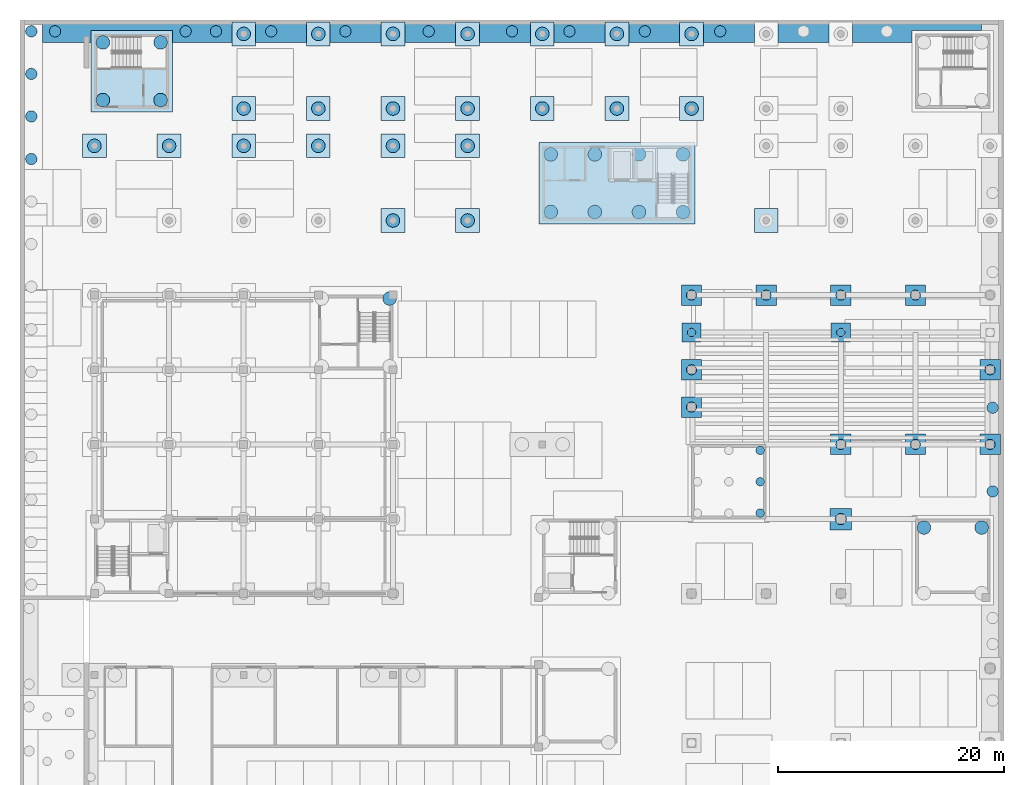
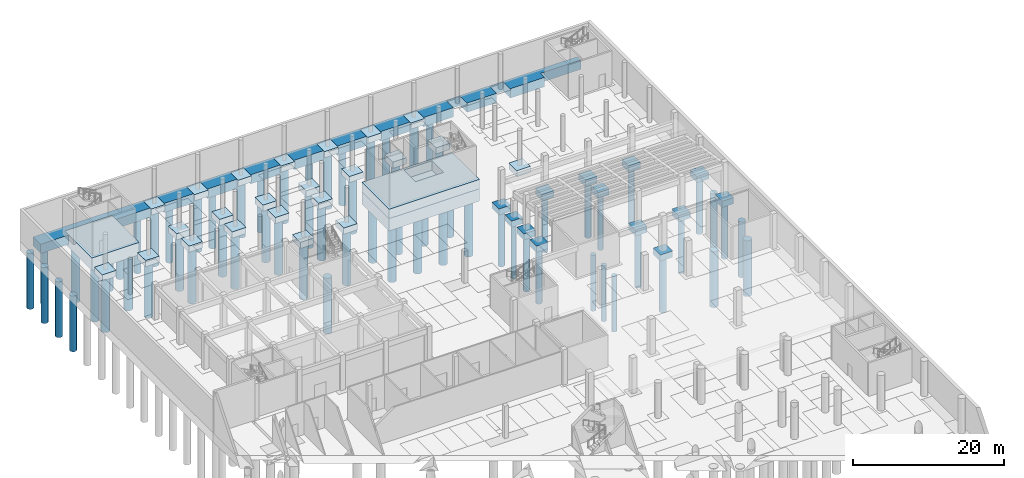
# One storey, part 4 of 38: 69 piles, 40 footings.
"""IFC4 building model written with IfcOpenShell, lengths in metres."""

from ifc_helpers import new_model, si_unit, direction, frame, origin, origin_2d, place, context, subcontext, project, spatial, polyline, circle, outline, extrude, material, material_profile, profile_set, type_object, element, save


model = new_model("IFC4")

# Units and contexts
model_context = context("Model", 3, precision=1e-05, world=origin(), true_north=direction((0.0, 1.0)))
body_context = subcontext(model_context, "Body", "Model", "MODEL_VIEW")
ifc_project = project(units=[si_unit("LENGTHUNIT", "METRE"), si_unit("AREAUNIT", "SQUARE_METRE"), si_unit("VOLUMEUNIT", "CUBIC_METRE"), si_unit("PLANEANGLEUNIT", "RADIAN"), si_unit("MASSUNIT", "GRAM", prefix="KILO")], contexts=[model_context])

# Site, building, storey
site_placement = place(None, origin())
site = spatial("IfcSite", under=ifc_project, at=site_placement, CompositionType="ELEMENT")
building_placement = place(site_placement, origin())
building = spatial("IfcBuilding", under=site, at=building_placement, Name="Lantern Court Research Institute", CompositionType="ELEMENT")
storey_placement = place(building_placement, frame((0.0, 0.0, -5.699951171875)))
storey = spatial("IfcBuildingStorey", under=building, at=storey_placement, Name="B1", CompositionType="ELEMENT", Elevation=-5.699951171875)

# Piles
ifc_material_1 = material(Name="Concrete C30/37", Category="concrete")
ifc_material_profile_1 = material_profile(ifc_material_1, circle(Radius=0.5, at=origin_2d()), Name="Bored pile D1000")
ifc_profile_set_1 = profile_set([ifc_material_profile_1], Name="Concrete C30/37")
pile_type_1 = type_object("IfcPileType", Name="Bored pile D1000", PredefinedType="BORED", material=ifc_profile_set_1)
for number, where, z_axis, x_axis, name in (
    (1, (66.0, 56.10009765625, -0.900146484375), (0.0, 0.0, -1.0), (1.0, 0.0, 0.0), "Bored pile P141"),
    (2, (-5.580078125, 87.93798828125, -1.400146484375), (0.0, 0.0, -1.0), (1.0, 0.0, 0.0), "Bored pile P254"),
    (3, (-5.580078125, 91.701904296875, -1.400146484375), (0.0, 0.0, -1.0), (1.0, 0.0, 0.0), "Bored pile P255"),
    (4, (-5.580078125, 95.466064453125, -1.400146484375), (0.0, 0.0, -1.0), (1.0, 0.0, 0.0), "Bored pile P256"),
    (5, (-5.580078125, 99.22998046875, -1.400146484375), (0.0, 0.0, -1.0), (1.0, 0.0, 0.0), "Bored pile P257"),
    (6, (79.429931640625, 58.544921875, -1.400146484375), (0.0, 0.0, -1.0), (1.0, 0.0, 0.0), "Bored pile P266"),
    (7, (79.429931640625, 65.94189453125, -1.400146484375), (0.0, 0.0, -1.0), (1.0, 0.0, 0.0), "Bored pile P267"),
    (8, (-3.47998046875, 99.22998046875, -1.400146484375), (0.0, 0.0, -1.0), (1.0, 0.0, 0.0), "Bored pile P286"),
    (9, (8.06689453125, 99.22998046875, -1.400146484375), (0.0, 0.0, -1.0), (1.0, 0.0, 0.0), "Bored pile P287"),
    (10, (10.7490234375, 99.22998046875, -1.400146484375), (0.0, 0.0, -1.0), (1.0, 0.0, 0.0), "Bored pile P288"),
    (11, (15.631103515625, 99.22998046875, -1.400146484375), (0.0, 0.0, -1.0), (1.0, 0.0, 0.0), "Bored pile P289"),
    (12, (22.196044921875, 99.22998046875, -1.400146484375), (0.0, 0.0, -1.0), (1.0, 0.0, 0.0), "Bored pile P290"),
    (13, (29.56005859375, 99.22998046875, -1.400146484375), (0.0, 0.0, -1.0), (1.0, 0.0, 0.0), "Bored pile P291"),
    (14, (36.925048828125, 99.22998046875, -1.400146484375), (0.0, 0.0, -1.0), (1.0, 0.0, 0.0), "Bored pile P292"),
    (15, (42.007080078125, 99.22998046875, -1.400146484375), (0.0, 0.0, -1.0), (1.0, 0.0, 0.0), "Bored pile P293"),
    (16, (48.672119140625, 99.22998046875, -1.400146484375), (0.0, 0.0, -1.0), (1.0, 0.0, 0.0), "Bored pile P294"),
    (17, (55.3359375, 99.22998046875, -1.400146484375), (0.0, 0.0, -1.0), (1.0, 0.0, 0.0), "Bored pile P295"),
):
    element("IfcPile", number, at=place(storey_placement, frame(where, z_axis=z_axis, x_axis=x_axis)), inside=storey, type_object=pile_type_1, Name=name, PredefinedType="BORED", context=body_context, shape_type="SweptSolid", body=[
        extrude(circle(Radius=0.5, at=origin_2d()), origin(), (0.0, 0.0, 1.0), 9.0),
    ])
ifc_material_2 = material(Name="Concrete C30/37", Category="concrete")
ifc_material_profile_2 = material_profile(ifc_material_2, circle(Radius=0.60009765625, at=origin_2d()), Name="Bored pile D1200")
ifc_profile_set_2 = profile_set([ifc_material_profile_2], Name="Concrete C30/37")
pile_type_2 = type_object("IfcPileType", Name="Bored pile D1200", PredefinedType="BORED", material=ifc_profile_set_2)
for number, where, z_axis, x_axis, name in (
    (18, (73.35009765625, 55.35009765625, -2.10009765625), (0.0, 0.0, -1.0), (1.0, 0.0, 0.0), "Bored pile P126"),
    (19, (78.449951171875, 55.35009765625, -2.10009765625), (0.0, 0.0, -1.0), (1.0, 0.0, 0.0), "Bored pile P127"),
    (20, (26.10009765625, 75.60009765625, -2.10009765625), (0.0, 0.0, -1.0), (1.0, 0.0, 0.0), "Bored pile P170"),
    (21, (26.39990234375, 82.5, -0.900146484375), (0.0, 0.0, -1.0), (1.0, 0.0, 0.0), "Bored pile P186"),
    (22, (33.0, 82.5, -0.900146484375), (0.0, 0.0, -1.0), (1.0, 0.0, 0.0), "Bored pile P187"),
    (23, (40.35009765625, 83.25, -3.400146484375), (0.0, 0.0, -1.0), (1.0, 0.0, 0.0), "Bored pile P192"),
    (24, (44.25, 83.25, -3.400146484375), (0.0, 0.0, -1.0), (1.0, 0.0, 0.0), "Bored pile P193"),
    (25, (48.14990234375, 83.25, -3.400146484375), (0.0, 0.0, -1.0), (1.0, 0.0, 0.0), "Bored pile P194"),
    (26, (52.050048828125, 83.25, -3.400146484375), (0.0, 0.0, -1.0), (1.0, 0.0, 0.0), "Bored pile P195"),
    (27, (40.35009765625, 88.35009765625, -3.400146484375), (0.0, 0.0, -1.0), (1.0, 0.0, 0.0), "Bored pile P196"),
    (28, (44.25, 88.35009765625, -3.400146484375), (0.0, 0.0, -1.0), (1.0, 0.0, 0.0), "Bored pile P197"),
    (29, (48.14990234375, 88.35009765625, -3.400146484375), (0.0, 0.0, -1.0), (1.0, 0.0, 0.0), "Bored pile P198"),
    (30, (52.050048828125, 88.35009765625, -3.400146484375), (0.0, 0.0, -1.0), (1.0, 0.0, 0.0), "Bored pile P199"),
    (31, (0.0, 89.10009765625, -0.900146484375), (0.0, 0.0, -1.0), (1.0, 0.0, 0.0), "Bored pile P200"),
    (32, (6.60009765625, 89.10009765625, -0.900146484375), (0.0, 0.0, -1.0), (1.0, 0.0, 0.0), "Bored pile P201"),
    (33, (13.199951171875, 89.10009765625, -0.900146484375), (0.0, 0.0, -1.0), (1.0, 0.0, 0.0), "Bored pile P202"),
    (34, (19.800048828125, 89.10009765625, -0.900146484375), (0.0, 0.0, -1.0), (1.0, 0.0, 0.0), "Bored pile P203"),
    (35, (26.39990234375, 89.10009765625, -0.900146484375), (0.0, 0.0, -1.0), (1.0, 0.0, 0.0), "Bored pile P204"),
    (36, (33.0, 89.10009765625, -0.900146484375), (0.0, 0.0, -1.0), (1.0, 0.0, 0.0), "Bored pile P205"),
    (37, (13.199951171875, 92.39990234375, -0.900146484375), (0.0, 0.0, -1.0), (1.0, 0.0, 0.0), "Bored pile P210"),
    (38, (19.800048828125, 92.39990234375, -0.900146484375), (0.0, 0.0, -1.0), (1.0, 0.0, 0.0), "Bored pile P211"),
    (39, (26.39990234375, 92.39990234375, -0.900146484375), (0.0, 0.0, -1.0), (1.0, 0.0, 0.0), "Bored pile P212"),
    (40, (33.0, 92.39990234375, -0.900146484375), (0.0, 0.0, -1.0), (1.0, 0.0, 0.0), "Bored pile P213"),
    (41, (39.60009765625, 92.39990234375, -0.900146484375), (0.0, 0.0, -1.0), (1.0, 0.0, 0.0), "Bored pile P214"),
    (42, (46.199951171875, 92.39990234375, -0.900146484375), (0.0, 0.0, -1.0), (1.0, 0.0, 0.0), "Bored pile P215"),
    (43, (52.800048828125, 92.39990234375, -0.900146484375), (0.0, 0.0, -1.0), (1.0, 0.0, 0.0), "Bored pile P216"),
    (44, (0.75, 93.14990234375, -1.900146484375), (0.0, 0.0, -1.0), (1.0, 0.0, 0.0), "Bored pile P219"),
    (45, (5.85009765625, 93.14990234375, -1.900146484375), (0.0, 0.0, -1.0), (1.0, 0.0, 0.0), "Bored pile P220"),
    (46, (0.75, 98.25, -1.900146484375), (0.0, 0.0, -1.0), (1.0, 0.0, 0.0), "Bored pile P221"),
    (47, (5.85009765625, 98.25, -1.900146484375), (0.0, 0.0, -1.0), (1.0, 0.0, 0.0), "Bored pile P222"),
    (48, (13.199951171875, 99.0, -0.900146484375), (0.0, 0.0, -1.0), (1.0, 0.0, 0.0), "Bored pile P227"),
    (49, (19.800048828125, 99.0, -0.900146484375), (0.0, 0.0, -1.0), (1.0, 0.0, 0.0), "Bored pile P228"),
    (50, (26.39990234375, 99.0, -0.900146484375), (0.0, 0.0, -1.0), (1.0, 0.0, 0.0), "Bored pile P229"),
    (51, (33.0, 99.0, -0.900146484375), (0.0, 0.0, -1.0), (1.0, 0.0, 0.0), "Bored pile P230"),
    (52, (39.60009765625, 99.0, -0.900146484375), (0.0, 0.0, -1.0), (1.0, 0.0, 0.0), "Bored pile P231"),
    (53, (46.199951171875, 99.0, -0.900146484375), (0.0, 0.0, -1.0), (1.0, 0.0, 0.0), "Bored pile P232"),
    (54, (52.800048828125, 99.0, -0.900146484375), (0.0, 0.0, -1.0), (1.0, 0.0, 0.0), "Bored pile P233"),
):
    element("IfcPile", number, at=place(storey_placement, frame(where, z_axis=z_axis, x_axis=x_axis)), inside=storey, type_object=pile_type_2, Name=name, PredefinedType="BORED", context=body_context, shape_type="SweptSolid", body=[
        extrude(circle(Radius=0.60009765625, at=origin_2d()), origin(), (0.0, 0.0, 1.0), 9.0),
    ])
ifc_material_3 = material(Name="Concrete C30/37", Category="concrete")
ifc_material_profile_3 = material_profile(ifc_material_3, circle(Radius=0.375, at=origin_2d()), Name="Bored pile D750")
ifc_profile_set_3 = profile_set([ifc_material_profile_3], Name="Concrete C30/37")
pile_type_3 = type_object("IfcPileType", Name="Bored pile D750", PredefinedType="BORED", material=ifc_profile_set_3)
for number, where, z_axis, x_axis, name in (
    (55, (58.875, 56.625, -1.900146484375), (0.0, 0.0, -1.0), (1.0, 0.0, 0.0), "Bored pile P144"),
    (56, (58.875, 59.39990234375, -1.900146484375), (0.0, 0.0, -1.0), (1.0, 0.0, 0.0), "Bored pile P147"),
    (57, (58.875, 62.175048828125, -1.900146484375), (0.0, 0.0, -1.0), (1.0, 0.0, 0.0), "Bored pile P150"),
    (58, (52.800048828125, 72.60009765625, -0.900146484375), (0.0, 0.0, -1.0), (1.0, 0.0, 0.0), "Bored pile P171"),
    (59, (66.0, 72.60009765625, -0.900146484375), (0.0, 0.0, -1.0), (1.0, 0.0, 0.0), "Bored pile P172"),
):
    element("IfcPile", number, at=place(storey_placement, frame(where, z_axis=z_axis, x_axis=x_axis)), inside=storey, type_object=pile_type_3, Name=name, PredefinedType="BORED", context=body_context, shape_type="SweptSolid", body=[
        extrude(circle(Radius=0.375, at=origin_2d()), origin(), (0.0, 0.0, 1.0), 9.0),
    ])
ifc_material_4 = material(Name="Concrete C30/37", Category="concrete")
ifc_material_profile_4 = material_profile(ifc_material_4, circle(Radius=0.449951171875, at=origin_2d()), Name="Bored pile D900")
ifc_profile_set_4 = profile_set([ifc_material_profile_4], Name="Concrete C30/37")
pile_type_4 = type_object("IfcPileType", Name="Bored pile D900", PredefinedType="BORED", material=ifc_profile_set_4)
for number, where, z_axis, x_axis, name in (
    (60, (66.0, 62.699951171875, -0.900146484375), (0.0, 0.0, -1.0), (1.0, 0.0, 0.0), "Bored pile P158"),
    (61, (72.60009765625, 62.699951171875, -0.900146484375), (0.0, 0.0, -1.0), (1.0, 0.0, 0.0), "Bored pile P159"),
    (62, (79.199951171875, 62.699951171875, -0.900146484375), (0.0, 0.0, -1.0), (1.0, 0.0, 0.0), "Bored pile P160"),
    (63, (52.800048828125, 66.0, -0.900146484375), (0.0, 0.0, -1.0), (1.0, 0.0, 0.0), "Bored pile P161"),
    (64, (52.800048828125, 69.300048828125, -0.900146484375), (0.0, 0.0, -1.0), (1.0, 0.0, 0.0), "Bored pile P165"),
    (65, (79.199951171875, 69.300048828125, -0.900146484375), (0.0, 0.0, -1.0), (1.0, 0.0, 0.0), "Bored pile P166"),
    (66, (52.800048828125, 75.89990234375, -0.900146484375), (0.0, 0.0, -1.0), (1.0, 0.0, 0.0), "Bored pile P177"),
    (67, (59.39990234375, 75.89990234375, -0.900146484375), (0.0, 0.0, -1.0), (1.0, 0.0, 0.0), "Bored pile P178"),
    (68, (66.0, 75.89990234375, -0.900146484375), (0.0, 0.0, -1.0), (1.0, 0.0, 0.0), "Bored pile P179"),
    (69, (72.60009765625, 75.89990234375, -0.900146484375), (0.0, 0.0, -1.0), (1.0, 0.0, 0.0), "Bored pile P180"),
):
    element("IfcPile", number, at=place(storey_placement, frame(where, z_axis=z_axis, x_axis=x_axis)), inside=storey, type_object=pile_type_4, Name=name, PredefinedType="BORED", context=body_context, shape_type="SweptSolid", body=[
        extrude(circle(Radius=0.449951171875, at=origin_2d()), origin(), (0.0, 0.0, 1.0), 9.0),
    ])

# Footings
ifc_material_5 = material(Name="Concrete C30/37", Category="concrete")
footing_type_1 = type_object("IfcFootingType", Name="Pile cap 1700 x 1700 x 1000", PredefinedType="PILE_CAP", material=ifc_material_5)
footing_1_placement = place(storey_placement, frame((0.0, 0.0, -1.0)))
element("IfcFooting", 70, at=footing_1_placement, inside=storey, type_object=footing_type_1, Name="Pile cap PC88", PredefinedType="PILE_CAP", context=body_context, shape_type="SweptSolid", body=[
    extrude(outline(polyline([(51.949951171875, 71.75), (53.64990234375, 71.75), (53.64990234375, 73.449951171875), (51.949951171875, 73.449951171875), (51.949951171875, 71.75)])), origin(), (0.0, 0.0, 1.0), 1.0),
])
footing_2_placement = place(storey_placement, frame((0.0, 0.0, -1.0)))
element("IfcFooting", 71, at=footing_2_placement, inside=storey, type_object=footing_type_1, Name="Pile cap PC89", PredefinedType="PILE_CAP", context=body_context, shape_type="SweptSolid", body=[
    extrude(outline(polyline([(65.14990234375, 71.75), (66.85009765625, 71.75), (66.85009765625, 73.449951171875), (65.14990234375, 73.449951171875), (65.14990234375, 71.75)])), origin(), (0.0, 0.0, 1.0), 1.0),
])
ifc_material_6 = material(Name="Concrete C30/37", Category="concrete")
footing_type_2 = type_object("IfcFootingType", Name="Pile cap 1800 x 1800 x 1000", PredefinedType="PILE_CAP", material=ifc_material_6)
footing_3_placement = place(storey_placement, frame((0.0, 0.0, -1.0)))
element("IfcFooting", 72, at=footing_3_placement, inside=storey, type_object=footing_type_2, Name="Pile cap PC78", PredefinedType="PILE_CAP", context=body_context, shape_type="SweptSolid", body=[
    extrude(outline(polyline([(65.10009765625, 61.800048828125), (66.89990234375, 61.800048828125), (66.89990234375, 63.60009765625), (65.10009765625, 63.60009765625), (65.10009765625, 61.800048828125)])), origin(), (0.0, 0.0, 1.0), 1.0),
])
footing_4_placement = place(storey_placement, frame((0.0, 0.0, -1.0)))
element("IfcFooting", 73, at=footing_4_placement, inside=storey, type_object=footing_type_2, Name="Pile cap PC79", PredefinedType="PILE_CAP", context=body_context, shape_type="SweptSolid", body=[
    extrude(outline(polyline([(71.699951171875, 61.800048828125), (73.5, 61.800048828125), (73.5, 63.60009765625), (71.699951171875, 63.60009765625), (71.699951171875, 61.800048828125)])), origin(), (0.0, 0.0, 1.0), 1.0),
])
footing_5_placement = place(storey_placement, frame((0.0, 0.0, -1.0)))
element("IfcFooting", 74, at=footing_5_placement, inside=storey, type_object=footing_type_2, Name="Pile cap PC80", PredefinedType="PILE_CAP", context=body_context, shape_type="SweptSolid", body=[
    extrude(outline(polyline([(78.300048828125, 61.800048828125), (80.10009765625, 61.800048828125), (80.10009765625, 63.60009765625), (78.300048828125, 63.60009765625), (78.300048828125, 61.800048828125)])), origin(), (0.0, 0.0, 1.0), 1.0),
])
footing_6_placement = place(storey_placement, frame((0.0, 0.0, -1.0)))
element("IfcFooting", 75, at=footing_6_placement, inside=storey, type_object=footing_type_2, Name="Pile cap PC81", PredefinedType="PILE_CAP", context=body_context, shape_type="SweptSolid", body=[
    extrude(outline(polyline([(51.89990234375, 65.10009765625), (53.699951171875, 65.10009765625), (53.699951171875, 66.89990234375), (51.89990234375, 66.89990234375), (51.89990234375, 65.10009765625)])), origin(), (0.0, 0.0, 1.0), 1.0),
])
footing_7_placement = place(storey_placement, frame((0.0, 0.0, -1.0)))
element("IfcFooting", 76, at=footing_7_placement, inside=storey, type_object=footing_type_2, Name="Pile cap PC85", PredefinedType="PILE_CAP", context=body_context, shape_type="SweptSolid", body=[
    extrude(outline(polyline([(51.89990234375, 68.39990234375), (53.699951171875, 68.39990234375), (53.699951171875, 70.199951171875), (51.89990234375, 70.199951171875), (51.89990234375, 68.39990234375)])), origin(), (0.0, 0.0, 1.0), 1.0),
])
footing_8_placement = place(storey_placement, frame((0.0, 0.0, -1.0)))
element("IfcFooting", 77, at=footing_8_placement, inside=storey, type_object=footing_type_2, Name="Pile cap PC86", PredefinedType="PILE_CAP", context=body_context, shape_type="SweptSolid", body=[
    extrude(outline(polyline([(78.300048828125, 68.39990234375), (80.10009765625, 68.39990234375), (80.10009765625, 70.199951171875), (78.300048828125, 70.199951171875), (78.300048828125, 68.39990234375)])), origin(), (0.0, 0.0, 1.0), 1.0),
])
footing_9_placement = place(storey_placement, frame((0.0, 0.0, -1.0)))
element("IfcFooting", 78, at=footing_9_placement, inside=storey, type_object=footing_type_2, Name="Pile cap PC94", PredefinedType="PILE_CAP", context=body_context, shape_type="SweptSolid", body=[
    extrude(outline(polyline([(51.89990234375, 75.0), (53.699951171875, 75.0), (53.699951171875, 76.800048828125), (51.89990234375, 76.800048828125), (51.89990234375, 75.0)])), origin(), (0.0, 0.0, 1.0), 1.0),
])
footing_10_placement = place(storey_placement, frame((0.0, 0.0, -1.0)))
element("IfcFooting", 79, at=footing_10_placement, inside=storey, type_object=footing_type_2, Name="Pile cap PC95", PredefinedType="PILE_CAP", context=body_context, shape_type="SweptSolid", body=[
    extrude(outline(polyline([(58.5, 75.0), (60.300048828125, 75.0), (60.300048828125, 76.800048828125), (58.5, 76.800048828125), (58.5, 75.0)])), origin(), (0.0, 0.0, 1.0), 1.0),
])
footing_11_placement = place(storey_placement, frame((0.0, 0.0, -1.0)))
element("IfcFooting", 80, at=footing_11_placement, inside=storey, type_object=footing_type_2, Name="Pile cap PC96", PredefinedType="PILE_CAP", context=body_context, shape_type="SweptSolid", body=[
    extrude(outline(polyline([(65.10009765625, 75.0), (66.89990234375, 75.0), (66.89990234375, 76.800048828125), (65.10009765625, 76.800048828125), (65.10009765625, 75.0)])), origin(), (0.0, 0.0, 1.0), 1.0),
])
footing_12_placement = place(storey_placement, frame((0.0, 0.0, -1.0)))
element("IfcFooting", 81, at=footing_12_placement, inside=storey, type_object=footing_type_2, Name="Pile cap PC97", PredefinedType="PILE_CAP", context=body_context, shape_type="SweptSolid", body=[
    extrude(outline(polyline([(71.699951171875, 75.0), (73.5, 75.0), (73.5, 76.800048828125), (71.699951171875, 76.800048828125), (71.699951171875, 75.0)])), origin(), (0.0, 0.0, 1.0), 1.0),
])
ifc_material_7 = material(Name="Concrete C30/37", Category="concrete")
footing_type_3 = type_object("IfcFootingType", Name="Pile cap 1900 x 1900 x 1000", PredefinedType="PILE_CAP", material=ifc_material_7)
footing_13_placement = place(storey_placement, frame((0.0, 0.0, -1.0)))
element("IfcFooting", 82, at=footing_13_placement, inside=storey, type_object=footing_type_3, Name="Pile cap PC70", PredefinedType="PILE_CAP", context=body_context, shape_type="SweptSolid", body=[
    extrude(outline(polyline([(65.050048828125, 55.14990234375), (66.949951171875, 55.14990234375), (66.949951171875, 57.050048828125), (65.050048828125, 57.050048828125), (65.050048828125, 55.14990234375)])), origin(), (0.0, 0.0, 1.0), 1.0),
])
ifc_material_8 = material(Name="Concrete C30/37", Category="concrete")
footing_type_4 = type_object("IfcFootingType", Name="Pile cap 2100 x 2100 x 1000", PredefinedType="PILE_CAP", material=ifc_material_8)
footing_14_placement = place(storey_placement, frame((0.0, 0.0, -1.0)))
element("IfcFooting", 83, at=footing_14_placement, inside=storey, type_object=footing_type_4, Name="Pile cap PC103", PredefinedType="PILE_CAP", context=body_context, shape_type="SweptSolid", body=[
    extrude(outline(polyline([(25.35009765625, 81.449951171875), (27.449951171875, 81.449951171875), (27.449951171875, 83.550048828125), (25.35009765625, 83.550048828125), (25.35009765625, 81.449951171875)])), origin(), (0.0, 0.0, 1.0), 1.0),
])
footing_15_placement = place(storey_placement, frame((0.0, 0.0, -1.0)))
element("IfcFooting", 84, at=footing_15_placement, inside=storey, type_object=footing_type_4, Name="Pile cap PC104", PredefinedType="PILE_CAP", context=body_context, shape_type="SweptSolid", body=[
    extrude(outline(polyline([(31.949951171875, 81.449951171875), (34.050048828125, 81.449951171875), (34.050048828125, 83.550048828125), (31.949951171875, 83.550048828125), (31.949951171875, 81.449951171875)])), origin(), (0.0, 0.0, 1.0), 1.0),
])
footing_16_placement = place(storey_placement, frame((0.0, 0.0, -1.0)))
element("IfcFooting", 85, at=footing_16_placement, inside=storey, type_object=footing_type_4, Name="Pile cap PC105", PredefinedType="PILE_CAP", context=body_context, shape_type="SweptSolid", body=[
    extrude(outline(polyline([(58.35009765625, 81.449951171875), (60.449951171875, 81.449951171875), (60.449951171875, 83.550048828125), (58.35009765625, 83.550048828125), (58.35009765625, 81.449951171875)])), origin(), (0.0, 0.0, 1.0), 1.0),
])
footing_17_placement = place(storey_placement, frame((0.0, 0.0, -1.0)))
element("IfcFooting", 86, at=footing_17_placement, inside=storey, type_object=footing_type_4, Name="Pile cap PC110", PredefinedType="PILE_CAP", context=body_context, shape_type="SweptSolid", body=[
    extrude(outline(polyline([(-1.050048828125, 88.050048828125), (1.050048828125, 88.050048828125), (1.050048828125, 90.14990234375), (-1.050048828125, 90.14990234375), (-1.050048828125, 88.050048828125)])), origin(), (0.0, 0.0, 1.0), 1.0),
])
footing_18_placement = place(storey_placement, frame((0.0, 0.0, -1.0)))
element("IfcFooting", 87, at=footing_18_placement, inside=storey, type_object=footing_type_4, Name="Pile cap PC111", PredefinedType="PILE_CAP", context=body_context, shape_type="SweptSolid", body=[
    extrude(outline(polyline([(5.550048828125, 88.050048828125), (7.64990234375, 88.050048828125), (7.64990234375, 90.14990234375), (5.550048828125, 90.14990234375), (5.550048828125, 88.050048828125)])), origin(), (0.0, 0.0, 1.0), 1.0),
])
footing_19_placement = place(storey_placement, frame((0.0, 0.0, -1.0)))
element("IfcFooting", 88, at=footing_19_placement, inside=storey, type_object=footing_type_4, Name="Pile cap PC112", PredefinedType="PILE_CAP", context=body_context, shape_type="SweptSolid", body=[
    extrude(outline(polyline([(12.14990234375, 88.050048828125), (14.25, 88.050048828125), (14.25, 90.14990234375), (12.14990234375, 90.14990234375), (12.14990234375, 88.050048828125)])), origin(), (0.0, 0.0, 1.0), 1.0),
])
footing_20_placement = place(storey_placement, frame((0.0, 0.0, -1.0)))
element("IfcFooting", 89, at=footing_20_placement, inside=storey, type_object=footing_type_4, Name="Pile cap PC113", PredefinedType="PILE_CAP", context=body_context, shape_type="SweptSolid", body=[
    extrude(outline(polyline([(18.75, 88.050048828125), (20.85009765625, 88.050048828125), (20.85009765625, 90.14990234375), (18.75, 90.14990234375), (18.75, 88.050048828125)])), origin(), (0.0, 0.0, 1.0), 1.0),
])
footing_21_placement = place(storey_placement, frame((0.0, 0.0, -1.0)))
element("IfcFooting", 90, at=footing_21_placement, inside=storey, type_object=footing_type_4, Name="Pile cap PC114", PredefinedType="PILE_CAP", context=body_context, shape_type="SweptSolid", body=[
    extrude(outline(polyline([(25.35009765625, 88.050048828125), (27.449951171875, 88.050048828125), (27.449951171875, 90.14990234375), (25.35009765625, 90.14990234375), (25.35009765625, 88.050048828125)])), origin(), (0.0, 0.0, 1.0), 1.0),
])
footing_22_placement = place(storey_placement, frame((0.0, 0.0, -1.0)))
element("IfcFooting", 91, at=footing_22_placement, inside=storey, type_object=footing_type_4, Name="Pile cap PC115", PredefinedType="PILE_CAP", context=body_context, shape_type="SweptSolid", body=[
    extrude(outline(polyline([(31.949951171875, 88.050048828125), (34.050048828125, 88.050048828125), (34.050048828125, 90.14990234375), (31.949951171875, 90.14990234375), (31.949951171875, 88.050048828125)])), origin(), (0.0, 0.0, 1.0), 1.0),
])
footing_23_placement = place(storey_placement, frame((0.0, 0.0, -1.0)))
element("IfcFooting", 92, at=footing_23_placement, inside=storey, type_object=footing_type_4, Name="Pile cap PC120", PredefinedType="PILE_CAP", context=body_context, shape_type="SweptSolid", body=[
    extrude(outline(polyline([(12.14990234375, 91.35009765625), (14.25, 91.35009765625), (14.25, 93.449951171875), (12.14990234375, 93.449951171875), (12.14990234375, 91.35009765625)])), origin(), (0.0, 0.0, 1.0), 1.0),
])
footing_24_placement = place(storey_placement, frame((0.0, 0.0, -1.0)))
element("IfcFooting", 93, at=footing_24_placement, inside=storey, type_object=footing_type_4, Name="Pile cap PC121", PredefinedType="PILE_CAP", context=body_context, shape_type="SweptSolid", body=[
    extrude(outline(polyline([(18.75, 91.35009765625), (20.85009765625, 91.35009765625), (20.85009765625, 93.449951171875), (18.75, 93.449951171875), (18.75, 91.35009765625)])), origin(), (0.0, 0.0, 1.0), 1.0),
])
footing_25_placement = place(storey_placement, frame((0.0, 0.0, -1.0)))
element("IfcFooting", 94, at=footing_25_placement, inside=storey, type_object=footing_type_4, Name="Pile cap PC122", PredefinedType="PILE_CAP", context=body_context, shape_type="SweptSolid", body=[
    extrude(outline(polyline([(25.35009765625, 91.35009765625), (27.449951171875, 91.35009765625), (27.449951171875, 93.449951171875), (25.35009765625, 93.449951171875), (25.35009765625, 91.35009765625)])), origin(), (0.0, 0.0, 1.0), 1.0),
])
footing_26_placement = place(storey_placement, frame((0.0, 0.0, -1.0)))
element("IfcFooting", 95, at=footing_26_placement, inside=storey, type_object=footing_type_4, Name="Pile cap PC123", PredefinedType="PILE_CAP", context=body_context, shape_type="SweptSolid", body=[
    extrude(outline(polyline([(31.949951171875, 91.35009765625), (34.050048828125, 91.35009765625), (34.050048828125, 93.449951171875), (31.949951171875, 93.449951171875), (31.949951171875, 91.35009765625)])), origin(), (0.0, 0.0, 1.0), 1.0),
])
footing_27_placement = place(storey_placement, frame((0.0, 0.0, -1.0)))
element("IfcFooting", 96, at=footing_27_placement, inside=storey, type_object=footing_type_4, Name="Pile cap PC124", PredefinedType="PILE_CAP", context=body_context, shape_type="SweptSolid", body=[
    extrude(outline(polyline([(38.550048828125, 91.35009765625), (40.64990234375, 91.35009765625), (40.64990234375, 93.449951171875), (38.550048828125, 93.449951171875), (38.550048828125, 91.35009765625)])), origin(), (0.0, 0.0, 1.0), 1.0),
])
footing_28_placement = place(storey_placement, frame((0.0, 0.0, -1.0)))
element("IfcFooting", 97, at=footing_28_placement, inside=storey, type_object=footing_type_4, Name="Pile cap PC125", PredefinedType="PILE_CAP", context=body_context, shape_type="SweptSolid", body=[
    extrude(outline(polyline([(45.14990234375, 91.35009765625), (47.25, 91.35009765625), (47.25, 93.449951171875), (45.14990234375, 93.449951171875), (45.14990234375, 91.35009765625)])), origin(), (0.0, 0.0, 1.0), 1.0),
])
footing_29_placement = place(storey_placement, frame((0.0, 0.0, -1.0)))
element("IfcFooting", 98, at=footing_29_placement, inside=storey, type_object=footing_type_4, Name="Pile cap PC126", PredefinedType="PILE_CAP", context=body_context, shape_type="SweptSolid", body=[
    extrude(outline(polyline([(51.75, 91.35009765625), (53.85009765625, 91.35009765625), (53.85009765625, 93.449951171875), (51.75, 93.449951171875), (51.75, 91.35009765625)])), origin(), (0.0, 0.0, 1.0), 1.0),
])
footing_30_placement = place(storey_placement, frame((0.0, 0.0, -1.0)))
element("IfcFooting", 99, at=footing_30_placement, inside=storey, type_object=footing_type_4, Name="Pile cap PC131", PredefinedType="PILE_CAP", context=body_context, shape_type="SweptSolid", body=[
    extrude(outline(polyline([(12.14990234375, 97.949951171875), (14.25, 97.949951171875), (14.25, 100.050048828125), (12.14990234375, 100.050048828125), (12.14990234375, 97.949951171875)])), origin(), (0.0, 0.0, 1.0), 1.0),
])
footing_31_placement = place(storey_placement, frame((0.0, 0.0, -1.0)))
element("IfcFooting", 100, at=footing_31_placement, inside=storey, type_object=footing_type_4, Name="Pile cap PC132", PredefinedType="PILE_CAP", context=body_context, shape_type="SweptSolid", body=[
    extrude(outline(polyline([(18.75, 97.949951171875), (20.85009765625, 97.949951171875), (20.85009765625, 100.050048828125), (18.75, 100.050048828125), (18.75, 97.949951171875)])), origin(), (0.0, 0.0, 1.0), 1.0),
])
footing_32_placement = place(storey_placement, frame((0.0, 0.0, -1.0)))
element("IfcFooting", 101, at=footing_32_placement, inside=storey, type_object=footing_type_4, Name="Pile cap PC133", PredefinedType="PILE_CAP", context=body_context, shape_type="SweptSolid", body=[
    extrude(outline(polyline([(25.35009765625, 97.949951171875), (27.449951171875, 97.949951171875), (27.449951171875, 100.050048828125), (25.35009765625, 100.050048828125), (25.35009765625, 97.949951171875)])), origin(), (0.0, 0.0, 1.0), 1.0),
])
footing_33_placement = place(storey_placement, frame((0.0, 0.0, -1.0)))
element("IfcFooting", 102, at=footing_33_placement, inside=storey, type_object=footing_type_4, Name="Pile cap PC134", PredefinedType="PILE_CAP", context=body_context, shape_type="SweptSolid", body=[
    extrude(outline(polyline([(31.949951171875, 97.949951171875), (34.050048828125, 97.949951171875), (34.050048828125, 100.050048828125), (31.949951171875, 100.050048828125), (31.949951171875, 97.949951171875)])), origin(), (0.0, 0.0, 1.0), 1.0),
])
footing_34_placement = place(storey_placement, frame((0.0, 0.0, -1.0)))
element("IfcFooting", 103, at=footing_34_placement, inside=storey, type_object=footing_type_4, Name="Pile cap PC135", PredefinedType="PILE_CAP", context=body_context, shape_type="SweptSolid", body=[
    extrude(outline(polyline([(38.550048828125, 97.949951171875), (40.64990234375, 97.949951171875), (40.64990234375, 100.050048828125), (38.550048828125, 100.050048828125), (38.550048828125, 97.949951171875)])), origin(), (0.0, 0.0, 1.0), 1.0),
])
footing_35_placement = place(storey_placement, frame((0.0, 0.0, -1.0)))
element("IfcFooting", 104, at=footing_35_placement, inside=storey, type_object=footing_type_4, Name="Pile cap PC136", PredefinedType="PILE_CAP", context=body_context, shape_type="SweptSolid", body=[
    extrude(outline(polyline([(45.14990234375, 97.949951171875), (47.25, 97.949951171875), (47.25, 100.050048828125), (45.14990234375, 100.050048828125), (45.14990234375, 97.949951171875)])), origin(), (0.0, 0.0, 1.0), 1.0),
])
footing_36_placement = place(storey_placement, frame((0.0, 0.0, -1.0)))
element("IfcFooting", 105, at=footing_36_placement, inside=storey, type_object=footing_type_4, Name="Pile cap PC137", PredefinedType="PILE_CAP", context=body_context, shape_type="SweptSolid", body=[
    extrude(outline(polyline([(51.75, 97.949951171875), (53.85009765625, 97.949951171875), (53.85009765625, 100.050048828125), (51.75, 100.050048828125), (51.75, 97.949951171875)])), origin(), (0.0, 0.0, 1.0), 1.0),
])
ifc_material_9 = material(Name="Concrete C30/37", Category="concrete")
footing_type_5 = type_object("IfcFootingType", Name="Pile cap 7200 x 7200 x 2000", PredefinedType="PILE_CAP", material=ifc_material_9)
footing_37_placement = place(storey_placement, frame((0.0, 0.0, -2.0)))
element("IfcFooting", 106, at=footing_37_placement, inside=storey, type_object=footing_type_5, Name="Pile cap PC129", PredefinedType="PILE_CAP", context=body_context, shape_type="SweptSolid", body=[
    extrude(outline(polyline([(-0.300048828125, 92.10009765625), (6.89990234375, 92.10009765625), (6.89990234375, 99.300048828125), (-0.300048828125, 99.300048828125), (-0.300048828125, 92.10009765625)])), origin(), (0.0, 0.0, 1.0), 2.0),
])
ifc_material_10 = material(Name="Concrete C30/37", Category="concrete")
footing_type_6 = type_object("IfcFootingType", Name="Pile cap lower plate 13800 x 7200 x 2000", PredefinedType="PILE_CAP", material=ifc_material_10)
footing_38_placement = place(storey_placement, frame((0.0, 0.0, -3.5)))
element("IfcFooting", 107, at=footing_38_placement, inside=storey, type_object=footing_type_6, Name="Pile cap PC109 lower plate", PredefinedType="PILE_CAP", context=body_context, shape_type="SweptSolid", body=[
    extrude(outline(polyline([(39.300048828125, 82.199951171875), (53.10009765625, 82.199951171875), (53.10009765625, 89.39990234375), (39.300048828125, 89.39990234375), (39.300048828125, 82.199951171875)])), origin(), (0.0, 0.0, 1.0), 2.0),
])
ifc_material_11 = material(Name="Concrete C30/37", Category="concrete")
footing_type_7 = type_object("IfcFootingType", Name="Pile cap upper ring 13800 x 7200 x 1500", PredefinedType="PILE_CAP", material=ifc_material_11)
footing_39_placement = place(storey_placement, frame((0.0, 0.0, -1.5)))
element("IfcFooting", 108, at=footing_39_placement, inside=storey, type_object=footing_type_7, Name="Pile cap PC109 upper ring", PredefinedType="PILE_CAP", context=body_context, shape_type="SweptSolid", body=[
    extrude(outline(polyline([(39.300048828125, 82.199951171875), (53.10009765625, 82.199951171875), (53.10009765625, 89.39990234375), (39.300048828125, 89.39990234375), (39.300048828125, 82.199951171875)]), holes=[polyline([(45.5, 85.949951171875), (49.800048828125, 85.949951171875), (49.800048828125, 89.050048828125), (45.5, 89.050048828125), (45.5, 85.949951171875)])]), origin(), (0.0, 0.0, 1.0), 1.5),
])
ifc_material_12 = material(Name="Concrete C30/37", Category="concrete")
footing_type_8 = type_object("IfcFootingType", Name="Strip footing 2000 x 1500", PredefinedType="STRIP_FOOTING", material=ifc_material_12)
footing_40_placement = place(storey_placement, frame((0.0, 0.0, -1.5)))
element("IfcFooting", 109, at=footing_40_placement, inside=storey, type_object=footing_type_8, Name="Strip footing F9", PredefinedType="STRIP_FOOTING", context=body_context, shape_type="SweptSolid", body=[
    extrude(outline(polyline([(67.050048828125, 100.050048828125), (64.949951171875, 100.050048828125), (64.949951171875, 98.22998046875), (60.449951171875, 98.22998046875), (60.449951171875, 100.050048828125), (58.35009765625, 100.050048828125), (58.35009765625, 98.22998046875), (53.85009765625, 98.22998046875), (53.85009765625, 100.050048828125), (51.75, 100.050048828125), (51.75, 98.22998046875), (47.25, 98.22998046875), (47.25, 100.050048828125), (45.14990234375, 100.050048828125), (45.14990234375, 98.22998046875), (40.64990234375, 98.22998046875), (40.64990234375, 100.050048828125), (38.550048828125, 100.050048828125), (38.550048828125, 98.22998046875), (34.050048828125, 98.22998046875), (34.050048828125, 100.050048828125), (31.949951171875, 100.050048828125), (31.949951171875, 98.22998046875), (27.449951171875, 98.22998046875), (27.449951171875, 100.050048828125), (25.35009765625, 100.050048828125), (25.35009765625, 98.22998046875), (20.85009765625, 98.22998046875), (20.85009765625, 100.050048828125), (18.75, 100.050048828125), (18.75, 98.22998046875), (14.25, 98.22998046875), (14.25, 100.050048828125), (12.14990234375, 100.050048828125), (12.14990234375, 98.22998046875), (6.89990234375, 98.22998046875), (6.89990234375, 99.300048828125), (-0.300048828125, 99.300048828125), (-0.300048828125, 98.22998046875), (-4.580078125, 98.22998046875), (-4.580078125, 100.22998046875), (78.429931640625, 100.22998046875), (78.429931640625, 99.300048828125), (72.300048828125, 99.300048828125), (72.300048828125, 98.22998046875), (67.050048828125, 98.22998046875), (67.050048828125, 100.050048828125)])), origin(), (0.0, 0.0, 1.0), 1.5),
])

save(model, "model.ifc")
